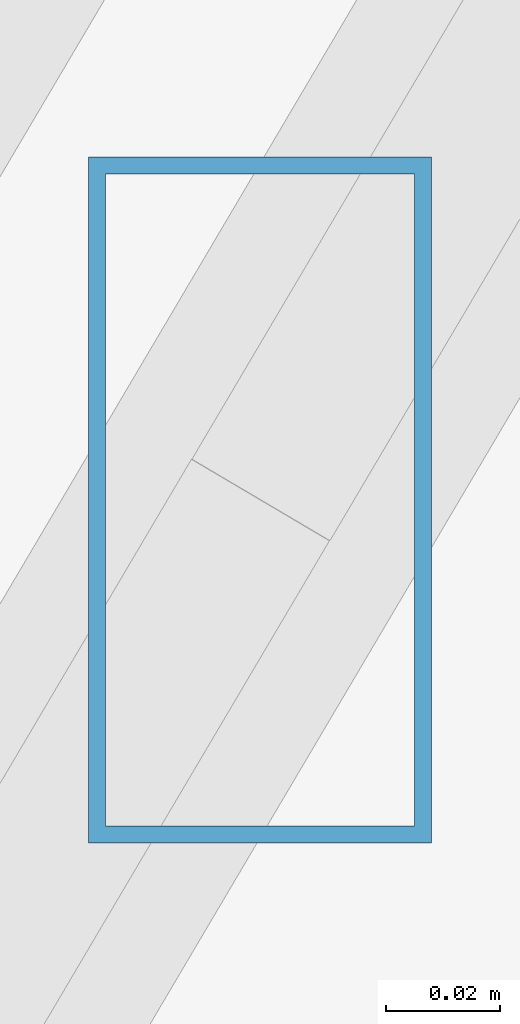
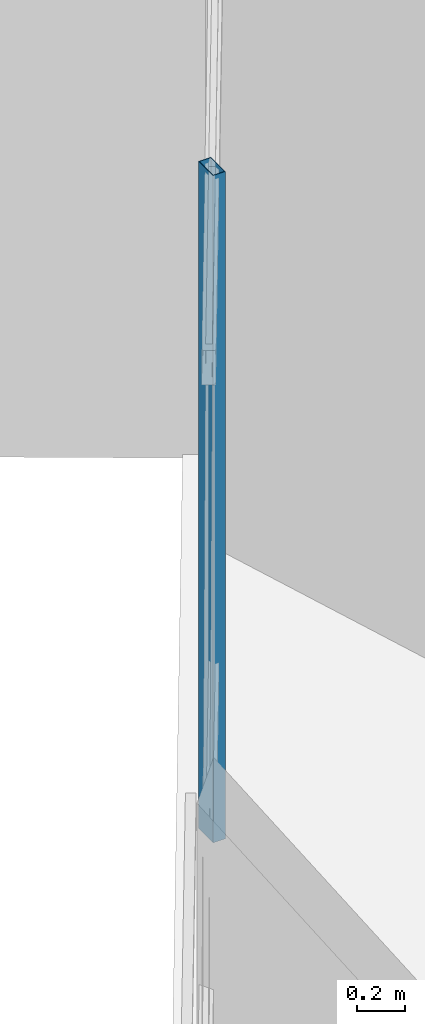
# One storey, part 32 of 44: 1 member, 1 element without a shape of its own.
"""IFC4 building model written with IfcOpenShell, lengths in metres."""

from ifc_helpers import new_model, si_unit, direction, frame, origin, origin_2d, place, context, subcontext, project, spatial, hollow_rectangle, extrude, source, transform, mapped, material, material_profile, profile_set, type_object, type_shapes, element, aggregate, save


model = new_model("IFC4")

# Units and contexts
model_context = context("Model", 3, precision=1e-05, world=origin(), true_north=direction((0.0, 1.0)))
body_context = subcontext(model_context, "Body", "Model", "MODEL_VIEW")
ifc_project = project(units=[si_unit("LENGTHUNIT", "METRE"), si_unit("AREAUNIT", "SQUARE_METRE"), si_unit("VOLUMEUNIT", "CUBIC_METRE"), si_unit("PLANEANGLEUNIT", "RADIAN"), si_unit("MASSUNIT", "GRAM", prefix="KILO")], contexts=[model_context])

# Site, building, storey
site_placement = place(None, origin())
site = spatial("IfcSite", under=ifc_project, at=site_placement, CompositionType="ELEMENT")
building_placement = place(site_placement, origin())
building = spatial("IfcBuilding", under=site, at=building_placement, Name="Caelisora Broadcast Tower", CompositionType="ELEMENT")
storey_placement = place(building_placement, frame((0.0, 0.0, 259.050048828125)))
storey = spatial("IfcBuildingStorey", under=building, at=storey_placement, Name="L68", CompositionType="ELEMENT", Elevation=259.050048828125)

# Curtain wall, member
ifc_material_1 = material(Name="Unitised Aluminium and Low-E Glass Curtain Wall", Category="glass")
curtain_wall_type = type_object("IfcCurtainWallType", Name="CW-Z5", PredefinedType="NOTDEFINED", material=ifc_material_1)
curtain_wall_placement = place(storey_placement, origin())
curtain_wall = element("IfcCurtainWall", 1, at=curtain_wall_placement, inside=storey, type_object=curtain_wall_type, Name="L68 curtain wall CW-Z5", PredefinedType="NOTDEFINED")
ifc_material_2 = material(Name="Aluminium 6063-T6 Anodised Terracotta Bronze", Category="aluminium")
ifc_material_profile = material_profile(ifc_material_2, hollow_rectangle(XDim=0.06005859375, YDim=0.1201171875, WallThickness=0.0029296875, at=origin_2d()), Name="Aluminium 6063-T6 Anodised Terracotta Bronze")
ifc_profile_set = profile_set([ifc_material_profile], Name="Aluminium 6063-T6 Anodised Terracotta Bronze")
member_type = type_object("IfcMemberType", Name="CWM-04", PredefinedType="MULLION", material=ifc_profile_set)
shared_shape = source(origin(), body_context, "Body", "SweptSolid", [
    extrude(hollow_rectangle(XDim=0.06005859375, YDim=0.1201171875, WallThickness=0.0029296875, at=origin_2d()), origin(), (0.0, 0.0, 1.0), 3.39990234375),
])
type_shapes(member_type, [shared_shape])
member_placement = place(storey_placement, frame((30.391357421875, 42.65771484375, 0.0), z_axis=(0.0, 0.0, 1.0), x_axis=(1.0, 0.0, 0.0)))
member = element("IfcMember", 2, at=member_placement, type_object=member_type, Name="L68-CW-B11 mullion #1", PredefinedType="MULLION", context=body_context, shape_type="MappedRepresentation", body=[
    mapped(shared_shape, transform((0.0, 0.0, 0.0), scale=1.0)),
])
aggregate(curtain_wall, [member])

save(model, "model.ifc")
